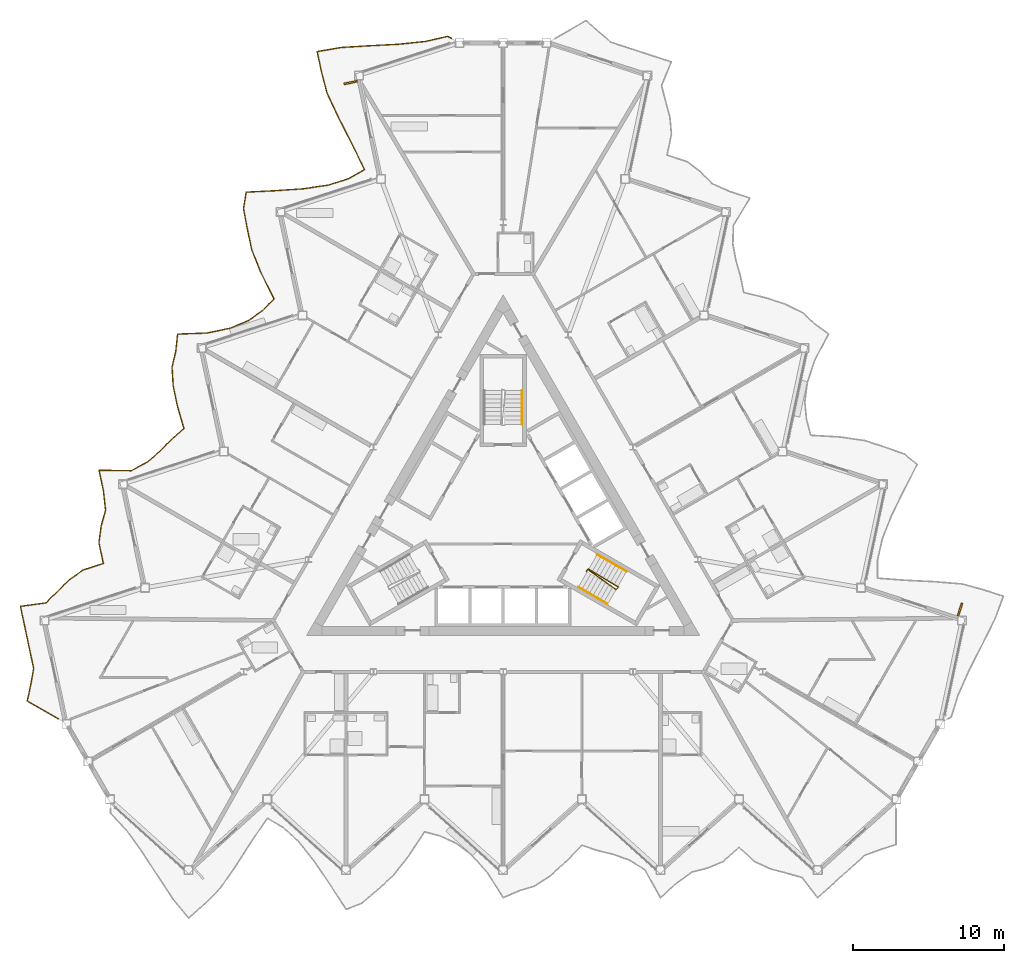
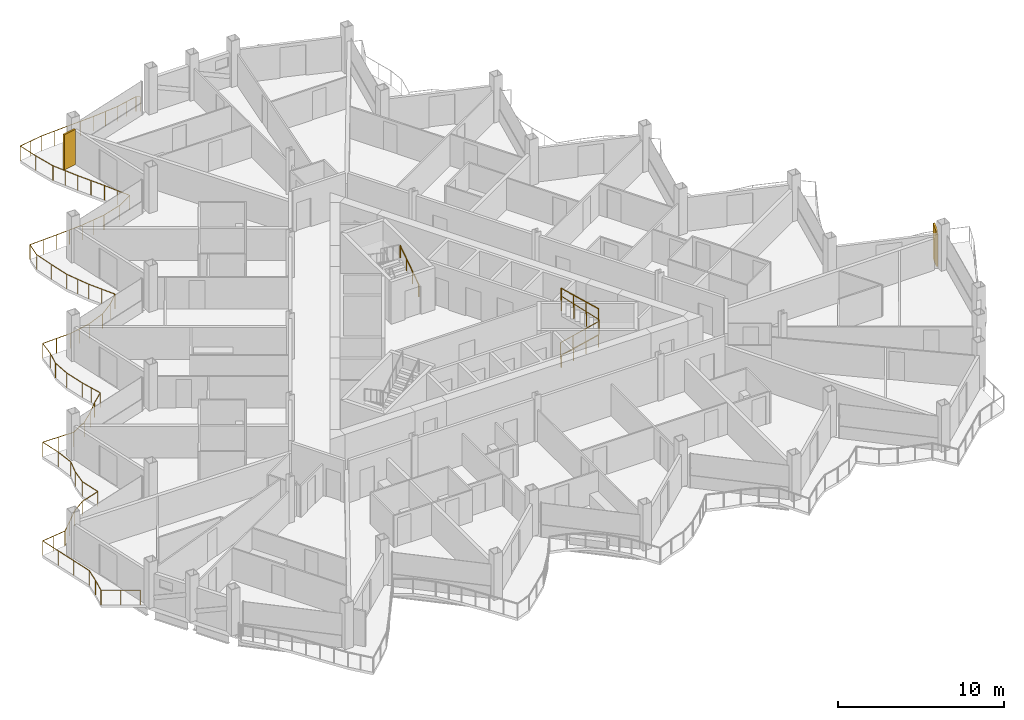
# One storey, part 24 of 27: 5 railings, 2 shading devices.
"""IFC4 building model written with IfcOpenShell, lengths in metres."""

import ifcopenshell
import ifcopenshell.guid

model = None  # the IFC model being written
_history = None  # IfcOwnerHistory: only IFC2X3 demands one
_inside = {}  # id of a spatial element -> (the spatial element, [elements in it])
_under = {}  # id of a project, library or spatial element -> (it, [spatial elements below it])
_declared = {}  # id of a project -> (the project, [libraries it declares])
_typed = {}  # id of a type object -> (the type object, [elements of that type])
_made_of = {}  # id of a material, layer set ... -> (it, [elements and type objects made of it])


def new_model(schema):
    """Start an empty IFC model of exactly this schema.

    Asked for "IFC4X3", IfcOpenShell would pick the latest addendum, in which some entities
    have other attributes; the version numbers below select the first issue.
    IFC2X3 requires an IfcOwnerHistory on every rooted entity: one is made here for all.
    """
    global model, _history
    if schema == "IFC4X3":
        model = ifcopenshell.file(schema_version=(4, 3, 0, 0))
    else:
        model = ifcopenshell.file(schema=schema)
    _inside.clear()
    _under.clear()
    _declared.clear()
    _typed.clear()
    _made_of.clear()
    _history = None
    if model.schema == "IFC2X3":
        org = make("IfcOrganization", Name="unknown")
        user = make(
            "IfcPersonAndOrganization",
            ThePerson=make("IfcPerson", FamilyName="unknown"),
            TheOrganization=org,
        )
        app = make(
            "IfcApplication",
            ApplicationDeveloper=org,
            Version="unknown",
            ApplicationFullName="unknown",
            ApplicationIdentifier="unknown",
        )
        _history = make(
            "IfcOwnerHistory",
            OwningUser=user,
            OwningApplication=app,
            ChangeAction="ADDED",
            CreationDate=0,
        )
    return model


def make(cls, **values):
    """One entity of the class cls with the attributes given. An attribute that is None is left unset."""
    return model.create_entity(
        cls, **{name: value for name, value in values.items() if value is not None}
    )


def rooted(cls, **values):
    """An entity with a GlobalId (a new one), such as an element, a storey or a relation."""
    return make(cls, GlobalId=ifcopenshell.guid.new(), OwnerHistory=_history, **values)


def si_unit(unit_type, name, prefix=None):
    """IfcSIUnit, for example si_unit("LENGTHUNIT", "METRE", prefix="MILLI")."""
    return make("IfcSIUnit", UnitType=unit_type, Prefix=prefix, Name=name)


def assignment(units):
    """IfcUnitAssignment: the units of a project."""
    return None if units is None else make("IfcUnitAssignment", Units=units)


def point(xyz):
    """IfcCartesianPoint."""
    return None if xyz is None else make("IfcCartesianPoint", Coordinates=xyz)


def direction(xyz):
    """IfcDirection."""
    return None if xyz is None else make("IfcDirection", DirectionRatios=xyz)


def frame(location, z_axis=None, x_axis=None):
    """IfcAxis2Placement3D, a coordinate frame: its origin and axes. An axis left out is left unset."""
    return make(
        "IfcAxis2Placement3D",
        Location=point(location),
        Axis=direction(z_axis),
        RefDirection=direction(x_axis),
    )


def frame_2d(location, x_axis=None):
    """IfcAxis2Placement2D, a coordinate frame in the plane: its origin and x axis."""
    return make(
        "IfcAxis2Placement2D", Location=point(location), RefDirection=direction(x_axis)
    )


def origin():
    """The frame at (0, 0, 0) with its axes left unset."""
    return frame((0.0, 0.0, 0.0))


def origin_2d():
    """The frame at (0, 0) in the plane with its x axis left unset."""
    return frame_2d((0.0, 0.0))


def place(relative_to, where):
    """IfcLocalPlacement: puts the frame where relative to a parent placement (None: the world)."""
    return make(
        "IfcLocalPlacement", PlacementRelTo=relative_to, RelativePlacement=where
    )


def context(
    kind, dimensions, precision=None, world=None, true_north=None, identifier=None
):
    """IfcGeometricRepresentationContext, for example the 3D "Model" context."""
    return make(
        "IfcGeometricRepresentationContext",
        ContextIdentifier=identifier,
        ContextType=kind,
        CoordinateSpaceDimension=dimensions,
        Precision=precision,
        WorldCoordinateSystem=world,
        TrueNorth=true_north,
    )


def subcontext(parent, identifier, kind, view, scale=None):
    """IfcGeometricRepresentationSubContext, for example "Body" below "Model"."""
    return make(
        "IfcGeometricRepresentationSubContext",
        ContextIdentifier=identifier,
        ContextType=kind,
        ParentContext=parent,
        TargetScale=scale,
        TargetView=view,
    )


def project(units=None, contexts=None):
    """IfcProject with its units and contexts."""
    return rooted(
        "IfcProject",
        Name="project",
        RepresentationContexts=contexts,
        UnitsInContext=assignment(units),
    )


def spatial(cls, under=None, at=None, **own):
    """A site, building, storey or space (cls), placed at a placement, below another one or the project."""
    s = rooted(cls, ObjectPlacement=at, **own)
    if under is not None:
        _under.setdefault(under.id(), (under, []))[1].append(s)
    return s


def profile(cls, at=None, kind="AREA", **sizes):
    """A parametric profile (cls). Its sizes go by their IFC names, for example OverallWidth=200.0."""
    return make(cls, ProfileType=kind, Position=at, **sizes)


def rectangle(**sizes):
    """IfcRectangleProfileDef."""
    return profile("IfcRectangleProfileDef", **sizes)


def circle(**sizes):
    """IfcCircleProfileDef."""
    return profile("IfcCircleProfileDef", **sizes)


def extrude(swept, where, along, depth):
    """IfcExtrudedAreaSolid: the profile swept, set in the frame where, extruded along a direction by depth."""
    return make(
        "IfcExtrudedAreaSolid",
        SweptArea=swept,
        Position=where,
        ExtrudedDirection=direction(along),
        Depth=depth,
    )


def shape(context_of_items, identifier, shape_type, items):
    """IfcShapeRepresentation: the items that make up one representation, for example the "Body"."""
    return make(
        "IfcShapeRepresentation",
        ContextOfItems=context_of_items,
        RepresentationIdentifier=identifier,
        RepresentationType=shape_type,
        Items=items,
    )


def material(Name=None, Category=None):
    """IfcMaterial."""
    return make("IfcMaterial", Name=Name, Category=Category)


def layer(
    of_material, thickness, ventilated=None, Name=None, Category=None, Priority=None
):
    """IfcMaterialLayer: one layer of a wall or slab, of a material (None: an air gap)."""
    return make(
        "IfcMaterialLayer",
        Material=of_material,
        LayerThickness=thickness,
        IsVentilated=ventilated,
        Name=Name,
        Category=Category,
        Priority=Priority,
    )


def layer_set(layers, Name=None):
    """IfcMaterialLayerSet."""
    return make("IfcMaterialLayerSet", MaterialLayers=layers, LayerSetName=Name)


def made_of(thing, what):
    """Note that an element or type object is made of a material, layer set ...; save() writes the relation."""
    if what is not None:
        _made_of.setdefault(what.id(), (what, []))[1].append(thing)
    return thing


def type_object(cls, material=None, **own):
    """A type object (cls), such as IfcWallType, which elements share."""
    return made_of(rooted(cls, **own), material)


def element(
    cls,
    number,
    at=None,
    inside=None,
    cuts=None,
    type_object=None,
    material=None,
    context=None,
    identifier="Body",
    shape_type=None,
    held_by="IfcProductDefinitionShape",
    body=None,
    shapes=None,
    **own,
):
    """One element of the class cls, such as IfcWall. Its Tag is "e" and its number.

    at: its placement. inside: the storey or other place that contains it. cuts: it is an
    opening in that element (IfcRelVoidsElement). A single representation is given by context,
    identifier, shape_type and body (its items); several are given by shapes. held_by: the class
    of the entity that holds the representations. save() writes the other relations.
    """
    e = rooted(cls, Tag="e%d" % number, ObjectPlacement=at, **own)
    if body is not None:
        shapes = [shape(context, identifier, shape_type, body)]
    if shapes is not None:
        e.Representation = make(held_by, Representations=shapes)
    if inside is not None:
        _inside.setdefault(inside.id(), (inside, []))[1].append(e)
    if cuts is not None:
        rooted(
            "IfcRelVoidsElement", RelatingBuildingElement=cuts, RelatedOpeningElement=e
        )
    if type_object is not None:
        _typed.setdefault(type_object.id(), (type_object, []))[1].append(e)
    return made_of(e, material)


def aggregate(whole, parts):
    """IfcRelAggregates: a whole, such as a stair, and the parts it consists of."""
    return rooted("IfcRelAggregates", RelatingObject=whole, RelatedObjects=parts)


def save(model, path):
    """Write the relations noted so far, then the file.

    IfcRelAggregates (storeys below a building ...), IfcRelContainedInSpatialStructure (elements
    in a storey), IfcRelDefinesByType, IfcRelAssociatesMaterial and IfcRelDeclares: one each for
    every whole, place, type object, material and project.
    """
    for whole, parts in _under.values():
        aggregate(whole, parts)
    for where, things in _inside.values():
        rooted(
            "IfcRelContainedInSpatialStructure",
            RelatedElements=things,
            RelatingStructure=where,
        )
    for kind, things in _typed.values():
        rooted("IfcRelDefinesByType", RelatedObjects=things, RelatingType=kind)
    for what, things in _made_of.values():
        rooted("IfcRelAssociatesMaterial", RelatedObjects=things, RelatingMaterial=what)
    for by, libraries in _declared.values():
        rooted("IfcRelDeclares", RelatingContext=by, RelatedDefinitions=libraries)
    model.write(path)


model = new_model("IFC4")

# Units and contexts
model_context = context("Model", 3, precision=1e-05, world=origin(), true_north=direction((0.0, 1.0)))
body_context = subcontext(model_context, "Body", "Model", "MODEL_VIEW")
ifc_project = project(units=[si_unit("LENGTHUNIT", "METRE"), si_unit("AREAUNIT", "SQUARE_METRE"), si_unit("VOLUMEUNIT", "CUBIC_METRE"), si_unit("PLANEANGLEUNIT", "RADIAN"), si_unit("MASSUNIT", "GRAM", prefix="KILO")], contexts=[model_context])

# Site, building, storey
site_placement = place(None, origin())
site = spatial("IfcSite", under=ifc_project, at=site_placement, CompositionType="ELEMENT")
building_placement = place(site_placement, origin())
building = spatial("IfcBuilding", under=site, at=building_placement, Name="Cormorant Prow Tower", CompositionType="ELEMENT")
storey_placement = place(building_placement, frame((0.0, 0.0, 332.39990234375)))
storey = spatial("IfcBuildingStorey", under=building, at=storey_placement, Name="L74", CompositionType="ELEMENT", Elevation=332.39990234375)

# Railings
ifc_material_1 = material(Name="Aluminium 6063-T6", Category="aluminium")
railing_type_1 = type_object("IfcRailingType", Name="Balcony guard 1100", PredefinedType="GUARDRAIL", material=ifc_material_1)
railing_1_placement = place(storey_placement, frame((-3.42724609375, 31.9794921875, 0.0)))
element("IfcRailing", 1, at=railing_1_placement, inside=storey, type_object=railing_type_1, Name="Balcony guard WNW", PredefinedType="GUARDRAIL", context=body_context, shape_type="SweptSolid", body=[
    extrude(circle(Radius=0.02392578125, at=origin_2d()), frame((0.0, 0.0, 1.076171875), z_axis=(-0.866065156741, 0.499931139538, 0.0), x_axis=(-0.499931139538, -0.866065156741, 0.0)), (0.0, 0.0, 1.0), 0.27001953125),
    extrude(circle(Radius=0.02392578125, at=origin_2d()), frame((-0.23388671875, 0.135009765625, 1.076171875), z_axis=(-0.974868424271, -0.22278140712, 0.0), x_axis=(0.22278140712, -0.974868424271, 0.0)), (0.0, 0.0, 1.0), 1.527587890625),
    extrude(circle(Radius=0.02392578125, at=origin_2d()), frame((-1.72314453125, -0.205322265625, 1.076171875), z_axis=(-0.994620481506, -0.103586185219, 0.0), x_axis=(0.103586185219, -0.994620481506, 0.0)), (0.0, 0.0, 1.0), 1.77001953125),
    extrude(circle(Radius=0.02392578125, at=origin_2d()), frame((-3.483642578125, -0.388671875, 1.076171875), z_axis=(-0.998630170708, -0.052323820115, 0.0), x_axis=(0.052323820115, -0.998630170708, 0.0)), (0.0, 0.0, 1.0), 1.908447265625),
    extrude(circle(Radius=0.02392578125, at=origin_2d()), frame((-5.389404296875, -0.488525390625, 1.076171875), z_axis=(-0.998168259573, -0.060498971735, 0.0), x_axis=(0.060498971735, -0.998168259573, 0.0)), (0.0, 0.0, 1.0), 1.884521484375),
    extrude(circle(Radius=0.02392578125, at=origin_2d()), frame((-7.2705078125, -0.6025390625, 1.076171875), z_axis=(-0.985824863509, -0.167777645972, 0.0), x_axis=(0.167777645972, -0.985824863509, 0.0)), (0.0, 0.0, 1.0), 1.62841796875),
    extrude(circle(Radius=0.02392578125, at=origin_2d()), frame((-8.875732421875, -0.875732421875, 1.076171875), z_axis=(0.207919304822, -0.978145982296, 0.0), x_axis=(0.978145982296, 0.207919304822, 0.0)), (0.0, 0.0, 1.0), 1.3984375),
    extrude(circle(Radius=0.02392578125, at=origin_2d()), frame((-8.5849609375, -2.24365234375, 1.076171875), z_axis=(0.255379362518, -0.966840928592, 0.0), x_axis=(0.966840928592, 0.255379362518, 0.0)), (0.0, 0.0, 1.0), 1.464599609375),
    extrude(circle(Radius=0.02392578125, at=origin_2d()), frame((-8.2109375, -3.65966796875, 1.076171875), z_axis=(0.426416101048, -0.904527118868, 0.0), x_axis=(0.904527118868, 0.426416101048, 0.0)), (0.0, 0.0, 1.0), 1.822998046875),
    extrude(circle(Radius=0.02392578125, at=origin_2d()), frame((-7.43359375, -5.30859375, 1.076171875), z_axis=(0.457212869892, -0.889357291309, 0.0), x_axis=(0.889357291309, 0.457212869892, 0.0)), (0.0, 0.0, 1.0), 1.91845703125),
    extrude(circle(Radius=0.02392578125, at=origin_2d()), frame((-6.556396484375, -7.014892578125, 1.076171875), z_axis=(0.435129408634, -0.900367923541, 0.0), x_axis=(0.900367923541, 0.435129408634, 0.0)), (0.0, 0.0, 1.0), 1.8486328125),
    extrude(circle(Radius=0.02392578125, at=origin_2d()), frame((-5.751953125, -8.679443359375, 1.076171875), z_axis=(-0.866195743587, -0.499704846676, 0.0), x_axis=(0.499704846676, -0.866195743587, 0.0)), (0.0, 0.0, 1.0), 1.200439453125),
    extrude(circle(Radius=0.02392578125, at=origin_2d()), frame((-6.791748046875, -9.279296875, 1.076171875), z_axis=(-0.954556801538, -0.298029046634, 0.0), x_axis=(0.298029046634, -0.954556801538, 0.0)), (0.0, 0.0, 1.0), 1.4130859375),
    extrude(circle(Radius=0.02392578125, at=origin_2d()), frame((-8.140625, -9.700439453125, 1.076171875), z_axis=(-0.989114626133, -0.147147056953, 0.0), x_axis=(0.147147056953, -0.989114626133, 0.0)), (0.0, 0.0, 1.0), 1.670654296875),
    extrude(circle(Radius=0.02392578125, at=origin_2d()), frame((-9.793212890625, -9.9462890625, 1.076171875), z_axis=(-0.997734486787, -0.067274764031, 0.0), x_axis=(0.067274764031, -0.997734486787, 0.0)), (0.0, 0.0, 1.0), 1.865234375),
    extrude(circle(Radius=0.02392578125, at=origin_2d()), frame((-11.654296875, -10.07177734375, 1.076171875), z_axis=(-0.998764384953, -0.049696109994, 0.0), x_axis=(0.049696109994, -0.998764384953, 0.0)), (0.0, 0.0, 1.0), 1.916015625),
    extrude(circle(Radius=0.02392578125, at=origin_2d()), frame((-13.56787109375, -10.1669921875, 1.076171875), z_axis=(-0.155895016823, -0.987773629801, 0.0), x_axis=(0.987773629801, -0.155895016823, 0.0)), (0.0, 0.0, 1.0), 1.113525390625),
    extrude(circle(Radius=0.02392578125, at=origin_2d()), frame((-13.741455078125, -11.266845703125, 1.076171875), z_axis=(0.183437336105, -0.983031405258, 0.0), x_axis=(0.983031405258, 0.183437336105, 0.0)), (0.0, 0.0, 1.0), 1.3681640625),
    extrude(circle(Radius=0.02392578125, at=origin_2d()), frame((-13.490478515625, -12.61181640625, 1.076171875), z_axis=(0.207919304822, -0.978145982296, 0.0), x_axis=(0.978145982296, 0.207919304822, 0.0)), (0.0, 0.0, 1.0), 1.3984375),
    extrude(circle(Radius=0.02392578125, at=origin_2d()), frame((-13.19970703125, -13.979736328125, 1.076171875), z_axis=(0.371265406287, -0.92852678911, 0.0), x_axis=(0.92852678911, 0.371265406287, 0.0)), (0.0, 0.0, 1.0), 1.68017578125),
    extrude(circle(Radius=0.02392578125, at=origin_2d()), frame((-12.575927734375, -15.539794921875, 1.076171875), z_axis=(0.450249587952, -0.892902743051, 0.0), x_axis=(0.892902743051, 0.450249587952, 0.0)), (0.0, 0.0, 1.0), 1.896240234375),
    extrude(circle(Radius=0.02392578125, at=origin_2d()), frame((-11.72216796875, -17.23291015625, 1.076171875), z_axis=(-0.708692470363, -0.705517528096, 0.0), x_axis=(0.705517528096, -0.708692470363, 0.0)), (0.0, 0.0, 1.0), 1.07666015625),
    extrude(circle(Radius=0.02392578125, at=origin_2d()), frame((-12.485107421875, -17.992431640625, 1.076171875), z_axis=(-0.812139024298, -0.583463970792, 0.0), x_axis=(0.583463970792, -0.812139024298, 0.0)), (0.0, 0.0, 1.0), 1.14013671875),
    extrude(circle(Radius=0.02392578125, at=origin_2d()), frame((-13.4111328125, -18.65771484375, 1.076171875), z_axis=(-0.923132133138, -0.384482853673, 0.0), x_axis=(0.384482853673, -0.923132133138, 0.0)), (0.0, 0.0, 1.0), 1.30810546875),
    extrude(circle(Radius=0.02392578125, at=origin_2d()), frame((-14.61865234375, -19.16064453125, 1.076171875), z_axis=(-0.978781858158, -0.204905036887, 0.0), x_axis=(0.204905036887, -0.978781858158, 0.0)), (0.0, 0.0, 1.0), 1.558349609375),
    extrude(circle(Radius=0.02392578125, at=origin_2d()), frame((-16.14404296875, -19.47998046875, 1.076171875), z_axis=(-0.999335867449, -0.036439319842, 0.0), x_axis=(0.036439319842, -0.999335867449, 0.0)), (0.0, 0.0, 1.0), 1.956298828125),
    extrude(circle(Radius=0.02392578125, at=origin_2d()), frame((-18.09912109375, -19.55126953125, 1.076171875), z_axis=(-0.1069882502, -0.994260284995, 0.0), x_axis=(0.994260284995, -0.1069882502, 0.0)), (0.0, 0.0, 1.0), 1.136474609375),
    extrude(circle(Radius=0.02392578125, at=origin_2d()), frame((-18.220703125, -20.68115234375, 1.076171875), z_axis=(-0.226796152694, -0.973942249378, 0.0), x_axis=(0.973942249378, -0.226796152694, 0.0)), (0.0, 0.0, 1.0), 1.086181640625),
    extrude(circle(Radius=0.02392578125, at=origin_2d()), frame((-18.467041015625, -21.739013671875, 1.076171875), z_axis=(0.057156067172, -0.998365255798, 0.0), x_axis=(0.998365255798, 0.057156067172, 0.0)), (0.0, 0.0, 1.0), 1.242919921875),
    extrude(circle(Radius=0.02392578125, at=origin_2d()), frame((-18.39599609375, -22.97998046875, 1.076171875), z_axis=(0.207919304822, -0.978145982296, 0.0), x_axis=(0.978145982296, 0.207919304822, 0.0)), (0.0, 0.0, 1.0), 1.3984375),
    extrude(circle(Radius=0.02392578125, at=origin_2d()), frame((-18.105224609375, -24.347900390625, 1.076171875), z_axis=(0.279887718113, -0.960032741759, 0.0), x_axis=(0.960032741759, 0.279887718113, 0.0)), (0.0, 0.0, 1.0), 1.5029296875),
    extrude(circle(Radius=0.02392578125, at=origin_2d()), frame((-17.6845703125, -25.790771484375, 1.076171875), z_axis=(-0.750435231758, -0.660943993797, 0.0), x_axis=(0.660943993797, -0.750435231758, 0.0)), (0.0, 0.0, 1.0), 1.0966796875),
    extrude(circle(Radius=0.02392578125, at=origin_2d()), frame((-18.507568359375, -26.515625, 1.076171875), z_axis=(-0.693992104373, -0.719982610253, 0.0), x_axis=(0.719982610253, -0.693992104373, 0.0)), (0.0, 0.0, 1.0), 1.07080078125),
    extrude(circle(Radius=0.02392578125, at=origin_2d()), frame((-19.250732421875, -27.28662109375, 1.076171875), z_axis=(-0.758614643675, -0.651539578539, 0.0), x_axis=(0.651539578539, -0.758614643675, 0.0)), (0.0, 0.0, 1.0), 1.101318359375),
    extrude(circle(Radius=0.02392578125, at=origin_2d()), frame((-20.086181640625, -28.004150390625, 1.076171875), z_axis=(-0.879686155667, -0.475554694569, 0.0), x_axis=(0.475554694569, -0.879686155667, 0.0)), (0.0, 0.0, 1.0), 1.22021484375),
    extrude(circle(Radius=0.02392578125, at=origin_2d()), frame((-21.15966796875, -28.58447265625, 1.076171875), z_axis=(-0.999880946428, 0.015430261519, 0.0), x_axis=(-0.015430261519, -0.999880946428, 0.0)), (0.0, 0.0, 1.0), 2.135986328125),
    extrude(circle(Radius=0.02392578125, at=origin_2d()), frame((-23.29541015625, -28.551513671875, 1.076171875), z_axis=(0.207954815096, -0.978138433392, 0.0), x_axis=(0.978138433392, 0.207954815096, 0.0)), (0.0, 0.0, 1.0), 1.398193359375),
    extrude(circle(Radius=0.02392578125, at=origin_2d()), frame((-23.004638671875, -29.919189453125, 1.076171875), z_axis=(0.108747067924, -0.994069451909, 0.0), x_axis=(0.994069451909, 0.108747067924, 0.0)), (0.0, 0.0, 1.0), 1.28857421875),
    extrude(circle(Radius=0.02392578125, at=origin_2d()), frame((-22.864501953125, -31.2001953125, 1.076171875), z_axis=(-0.267925383794, -0.963439665324, 0.0), x_axis=(0.963439665324, -0.267925383794, 0.0)), (0.0, 0.0, 1.0), 1.073486328125),
    extrude(circle(Radius=0.02392578125, at=origin_2d()), frame((-23.152099609375, -32.234375, 1.076171875), z_axis=(-0.132989234618, -0.991117482176, 0.0), x_axis=(0.991117482176, -0.132989234618, 0.0)), (0.0, 0.0, 1.0), 1.12353515625),
    extrude(circle(Radius=0.02392578125, at=origin_2d()), frame((-23.301513671875, -33.347900390625, 1.076171875), z_axis=(0.207919304822, -0.978145982296, 0.0), x_axis=(0.978145982296, 0.207919304822, 0.0)), (0.0, 0.0, 1.0), 1.3984375),
    extrude(circle(Radius=0.02392578125, at=origin_2d()), frame((-23.0107421875, -34.7158203125, 1.076171875), z_axis=(-0.951013541542, -0.309149225784, 0.0), x_axis=(0.309149225784, -0.951013541542, 0.0)), (0.0, 0.0, 1.0), 1.398681640625),
    extrude(circle(Radius=0.02392578125, at=origin_2d()), frame((-24.3408203125, -35.148193359375, 1.076171875), z_axis=(-0.817746960068, -0.575577891601, 0.0), x_axis=(0.575577891601, -0.817746960068, 0.0)), (0.0, 0.0, 1.0), 1.145263671875),
    extrude(circle(Radius=0.02392578125, at=origin_2d()), frame((-25.27734375, -35.807373046875, 1.076171875), z_axis=(-0.704603771786, -0.709600961657, 0.0), x_axis=(0.709600961657, -0.704603771786, 0.0)), (0.0, 0.0, 1.0), 1.07470703125),
    extrude(circle(Radius=0.02392578125, at=origin_2d()), frame((-26.03466796875, -36.570068359375, 1.076171875), z_axis=(-0.716759517386, -0.697320438706, 0.0), x_axis=(0.697320438706, -0.716759517386, 0.0)), (0.0, 0.0, 1.0), 1.080078125),
    extrude(circle(Radius=0.02392578125, at=origin_2d()), frame((-26.808837890625, -37.3232421875, 1.076171875), z_axis=(-0.990906116671, -0.134555074018, 0.0), x_axis=(0.134555074018, -0.990906116671, 0.0)), (0.0, 0.0, 1.0), 1.6982421875),
    extrude(circle(Radius=0.02392578125, at=origin_2d()), frame((-28.49169921875, -37.5517578125, 1.076171875), z_axis=(0.207954815096, -0.978138433392, 0.0), x_axis=(0.978138433392, 0.207954815096, 0.0)), (0.0, 0.0, 1.0), 1.398193359375),
    extrude(circle(Radius=0.02392578125, at=origin_2d()), frame((-28.200927734375, -38.91943359375, 1.076171875), z_axis=(0.207919304822, -0.978145982296, 0.0), x_axis=(0.978145982296, 0.207919304822, 0.0)), (0.0, 0.0, 1.0), 1.3984375),
    extrude(circle(Radius=0.02392578125, at=origin_2d()), frame((-27.91015625, -40.287353515625, 1.076171875), z_axis=(0.207919304822, -0.978145982296, 0.0), x_axis=(0.978145982296, 0.207919304822, 0.0)), (0.0, 0.0, 1.0), 1.3984375),
    extrude(circle(Radius=0.02392578125, at=origin_2d()), frame((-27.619384765625, -41.6552734375, 1.076171875), z_axis=(-0.172048589845, -0.98508846442, 0.0), x_axis=(0.98508846442, -0.172048589845, 0.0)), (0.0, 0.0, 1.0), 1.10693359375),
    extrude(circle(Radius=0.02392578125, at=origin_2d()), frame((-27.809814453125, -42.74560546875, 1.076171875), z_axis=(-0.210460713623, -0.977602315884, 0.0), x_axis=(0.977602315884, -0.210460713623, 0.0)), (0.0, 0.0, 1.0), 1.091552734375),
    extrude(circle(Radius=0.02392578125, at=origin_2d()), frame((-28.03955078125, -43.812744140625, 1.076171875), z_axis=(0.866028196007, -0.499995163697, 0.0), x_axis=(0.499995163697, 0.866028196007, 0.0)), (0.0, 0.0, 1.0), 2.37646484375),
    extrude(circle(Radius=0.02099609375, at=origin_2d()), origin(), (0.0, 0.0, 1.0), 1.052001953125),
    extrude(circle(Radius=0.02099609375, at=origin_2d()), frame((-0.23388671875, 0.135009765625, 0.0)), (0.0, 0.0, 1.0), 1.052001953125),
    extrude(circle(Radius=0.02099609375, at=origin_2d()), frame((-0.978515625, -0.03515625, 0.0)), (0.0, 0.0, 1.0), 1.052001953125),
    extrude(circle(Radius=0.02099609375, at=origin_2d()), frame((-1.72314453125, -0.205322265625, 0.0)), (0.0, 0.0, 1.0), 1.052001953125),
    extrude(circle(Radius=0.02099609375, at=origin_2d()), frame((-2.603515625, -0.296875, 0.0)), (0.0, 0.0, 1.0), 1.052001953125),
    extrude(circle(Radius=0.02099609375, at=origin_2d()), frame((-3.483642578125, -0.388671875, 0.0)), (0.0, 0.0, 1.0), 1.052001953125),
    extrude(circle(Radius=0.02099609375, at=origin_2d()), frame((-4.4365234375, -0.4384765625, 0.0)), (0.0, 0.0, 1.0), 1.052001953125),
    extrude(circle(Radius=0.02099609375, at=origin_2d()), frame((-5.389404296875, -0.488525390625, 0.0)), (0.0, 0.0, 1.0), 1.052001953125),
    extrude(circle(Radius=0.02099609375, at=origin_2d()), frame((-6.330078125, -0.54541015625, 0.0)), (0.0, 0.0, 1.0), 1.052001953125),
    extrude(circle(Radius=0.02099609375, at=origin_2d()), frame((-7.2705078125, -0.6025390625, 0.0)), (0.0, 0.0, 1.0), 1.052001953125),
    extrude(circle(Radius=0.02099609375, at=origin_2d()), frame((-8.0732421875, -0.7392578125, 0.0)), (0.0, 0.0, 1.0), 1.052001953125),
    extrude(circle(Radius=0.02099609375, at=origin_2d()), frame((-8.875732421875, -0.875732421875, 0.0)), (0.0, 0.0, 1.0), 1.052001953125),
    extrude(circle(Radius=0.02099609375, at=origin_2d()), frame((-8.5849609375, -2.24365234375, 0.0)), (0.0, 0.0, 1.0), 1.052001953125),
    extrude(circle(Radius=0.02099609375, at=origin_2d()), frame((-8.2109375, -3.65966796875, 0.0)), (0.0, 0.0, 1.0), 1.052001953125),
    extrude(circle(Radius=0.02099609375, at=origin_2d()), frame((-7.822265625, -4.484130859375, 0.0)), (0.0, 0.0, 1.0), 1.052001953125),
    extrude(circle(Radius=0.02099609375, at=origin_2d()), frame((-7.43359375, -5.30859375, 0.0)), (0.0, 0.0, 1.0), 1.052001953125),
    extrude(circle(Radius=0.02099609375, at=origin_2d()), frame((-6.9951171875, -6.16162109375, 0.0)), (0.0, 0.0, 1.0), 1.052001953125),
    extrude(circle(Radius=0.02099609375, at=origin_2d()), frame((-6.556396484375, -7.014892578125, 0.0)), (0.0, 0.0, 1.0), 1.052001953125),
    extrude(circle(Radius=0.02099609375, at=origin_2d()), frame((-6.154296875, -7.84716796875, 0.0)), (0.0, 0.0, 1.0), 1.052001953125),
    extrude(circle(Radius=0.02099609375, at=origin_2d()), frame((-5.751953125, -8.679443359375, 0.0)), (0.0, 0.0, 1.0), 1.052001953125),
    extrude(circle(Radius=0.02099609375, at=origin_2d()), frame((-6.791748046875, -9.279296875, 0.0)), (0.0, 0.0, 1.0), 1.052001953125),
    extrude(circle(Radius=0.02099609375, at=origin_2d()), frame((-8.140625, -9.700439453125, 0.0)), (0.0, 0.0, 1.0), 1.052001953125),
    extrude(circle(Radius=0.02099609375, at=origin_2d()), frame((-8.966796875, -9.8232421875, 0.0)), (0.0, 0.0, 1.0), 1.052001953125),
    extrude(circle(Radius=0.02099609375, at=origin_2d()), frame((-9.793212890625, -9.9462890625, 0.0)), (0.0, 0.0, 1.0), 1.052001953125),
    extrude(circle(Radius=0.02099609375, at=origin_2d()), frame((-10.7236328125, -10.009033203125, 0.0)), (0.0, 0.0, 1.0), 1.052001953125),
    extrude(circle(Radius=0.02099609375, at=origin_2d()), frame((-11.654296875, -10.07177734375, 0.0)), (0.0, 0.0, 1.0), 1.052001953125),
    extrude(circle(Radius=0.02099609375, at=origin_2d()), frame((-12.611083984375, -10.119384765625, 0.0)), (0.0, 0.0, 1.0), 1.052001953125),
    extrude(circle(Radius=0.02099609375, at=origin_2d()), frame((-13.56787109375, -10.1669921875, 0.0)), (0.0, 0.0, 1.0), 1.052001953125),
    extrude(circle(Radius=0.02099609375, at=origin_2d()), frame((-13.741455078125, -11.266845703125, 0.0)), (0.0, 0.0, 1.0), 1.052001953125),
    extrude(circle(Radius=0.02099609375, at=origin_2d()), frame((-13.490478515625, -12.61181640625, 0.0)), (0.0, 0.0, 1.0), 1.052001953125),
    extrude(circle(Radius=0.02099609375, at=origin_2d()), frame((-13.19970703125, -13.979736328125, 0.0)), (0.0, 0.0, 1.0), 1.052001953125),
    extrude(circle(Radius=0.02099609375, at=origin_2d()), frame((-12.8876953125, -14.759765625, 0.0)), (0.0, 0.0, 1.0), 1.052001953125),
    extrude(circle(Radius=0.02099609375, at=origin_2d()), frame((-12.575927734375, -15.539794921875, 0.0)), (0.0, 0.0, 1.0), 1.052001953125),
    extrude(circle(Radius=0.02099609375, at=origin_2d()), frame((-12.14892578125, -16.38623046875, 0.0)), (0.0, 0.0, 1.0), 1.052001953125),
    extrude(circle(Radius=0.02099609375, at=origin_2d()), frame((-11.72216796875, -17.23291015625, 0.0)), (0.0, 0.0, 1.0), 1.052001953125),
    extrude(circle(Radius=0.02099609375, at=origin_2d()), frame((-12.485107421875, -17.992431640625, 0.0)), (0.0, 0.0, 1.0), 1.052001953125),
    extrude(circle(Radius=0.02099609375, at=origin_2d()), frame((-13.4111328125, -18.65771484375, 0.0)), (0.0, 0.0, 1.0), 1.052001953125),
    extrude(circle(Radius=0.02099609375, at=origin_2d()), frame((-14.61865234375, -19.16064453125, 0.0)), (0.0, 0.0, 1.0), 1.052001953125),
    extrude(circle(Radius=0.02099609375, at=origin_2d()), frame((-15.38134765625, -19.3203125, 0.0)), (0.0, 0.0, 1.0), 1.052001953125),
    extrude(circle(Radius=0.02099609375, at=origin_2d()), frame((-16.14404296875, -19.47998046875, 0.0)), (0.0, 0.0, 1.0), 1.052001953125),
    extrude(circle(Radius=0.02099609375, at=origin_2d()), frame((-17.12158203125, -19.515625, 0.0)), (0.0, 0.0, 1.0), 1.052001953125),
    extrude(circle(Radius=0.02099609375, at=origin_2d()), frame((-18.09912109375, -19.55126953125, 0.0)), (0.0, 0.0, 1.0), 1.052001953125),
    extrude(circle(Radius=0.02099609375, at=origin_2d()), frame((-18.220703125, -20.68115234375, 0.0)), (0.0, 0.0, 1.0), 1.052001953125),
    extrude(circle(Radius=0.02099609375, at=origin_2d()), frame((-18.467041015625, -21.739013671875, 0.0)), (0.0, 0.0, 1.0), 1.052001953125),
    extrude(circle(Radius=0.02099609375, at=origin_2d()), frame((-18.39599609375, -22.97998046875, 0.0)), (0.0, 0.0, 1.0), 1.052001953125),
    extrude(circle(Radius=0.02099609375, at=origin_2d()), frame((-18.105224609375, -24.347900390625, 0.0)), (0.0, 0.0, 1.0), 1.052001953125),
    extrude(circle(Radius=0.02099609375, at=origin_2d()), frame((-17.89501953125, -25.0693359375, 0.0)), (0.0, 0.0, 1.0), 1.052001953125),
    extrude(circle(Radius=0.02099609375, at=origin_2d()), frame((-17.6845703125, -25.790771484375, 0.0)), (0.0, 0.0, 1.0), 1.052001953125),
    extrude(circle(Radius=0.02099609375, at=origin_2d()), frame((-18.507568359375, -26.515625, 0.0)), (0.0, 0.0, 1.0), 1.052001953125),
    extrude(circle(Radius=0.02099609375, at=origin_2d()), frame((-19.250732421875, -27.28662109375, 0.0)), (0.0, 0.0, 1.0), 1.052001953125),
    extrude(circle(Radius=0.02099609375, at=origin_2d()), frame((-20.086181640625, -28.004150390625, 0.0)), (0.0, 0.0, 1.0), 1.052001953125),
    extrude(circle(Radius=0.02099609375, at=origin_2d()), frame((-21.15966796875, -28.58447265625, 0.0)), (0.0, 0.0, 1.0), 1.052001953125),
    extrude(circle(Radius=0.02099609375, at=origin_2d()), frame((-22.2275390625, -28.56787109375, 0.0)), (0.0, 0.0, 1.0), 1.052001953125),
    extrude(circle(Radius=0.02099609375, at=origin_2d()), frame((-23.29541015625, -28.551513671875, 0.0)), (0.0, 0.0, 1.0), 1.052001953125),
    extrude(circle(Radius=0.02099609375, at=origin_2d()), frame((-23.004638671875, -29.919189453125, 0.0)), (0.0, 0.0, 1.0), 1.052001953125),
    extrude(circle(Radius=0.02099609375, at=origin_2d()), frame((-22.864501953125, -31.2001953125, 0.0)), (0.0, 0.0, 1.0), 1.052001953125),
    extrude(circle(Radius=0.02099609375, at=origin_2d()), frame((-23.152099609375, -32.234375, 0.0)), (0.0, 0.0, 1.0), 1.052001953125),
    extrude(circle(Radius=0.02099609375, at=origin_2d()), frame((-23.301513671875, -33.347900390625, 0.0)), (0.0, 0.0, 1.0), 1.052001953125),
    extrude(circle(Radius=0.02099609375, at=origin_2d()), frame((-23.0107421875, -34.7158203125, 0.0)), (0.0, 0.0, 1.0), 1.052001953125),
    extrude(circle(Radius=0.02099609375, at=origin_2d()), frame((-24.3408203125, -35.148193359375, 0.0)), (0.0, 0.0, 1.0), 1.052001953125),
    extrude(circle(Radius=0.02099609375, at=origin_2d()), frame((-25.27734375, -35.807373046875, 0.0)), (0.0, 0.0, 1.0), 1.052001953125),
    extrude(circle(Radius=0.02099609375, at=origin_2d()), frame((-26.03466796875, -36.570068359375, 0.0)), (0.0, 0.0, 1.0), 1.052001953125),
    extrude(circle(Radius=0.02099609375, at=origin_2d()), frame((-26.808837890625, -37.3232421875, 0.0)), (0.0, 0.0, 1.0), 1.052001953125),
    extrude(circle(Radius=0.02099609375, at=origin_2d()), frame((-27.650390625, -37.4375, 0.0)), (0.0, 0.0, 1.0), 1.052001953125),
    extrude(circle(Radius=0.02099609375, at=origin_2d()), frame((-28.49169921875, -37.5517578125, 0.0)), (0.0, 0.0, 1.0), 1.052001953125),
    extrude(circle(Radius=0.02099609375, at=origin_2d()), frame((-28.200927734375, -38.91943359375, 0.0)), (0.0, 0.0, 1.0), 1.052001953125),
    extrude(circle(Radius=0.02099609375, at=origin_2d()), frame((-27.91015625, -40.287353515625, 0.0)), (0.0, 0.0, 1.0), 1.052001953125),
    extrude(circle(Radius=0.02099609375, at=origin_2d()), frame((-27.619384765625, -41.6552734375, 0.0)), (0.0, 0.0, 1.0), 1.052001953125),
    extrude(circle(Radius=0.02099609375, at=origin_2d()), frame((-27.809814453125, -42.74560546875, 0.0)), (0.0, 0.0, 1.0), 1.052001953125),
    extrude(circle(Radius=0.02099609375, at=origin_2d()), frame((-28.03955078125, -43.812744140625, 0.0)), (0.0, 0.0, 1.0), 1.052001953125),
    extrude(circle(Radius=0.02099609375, at=origin_2d()), frame((-27.010498046875, -44.40673828125, 0.0)), (0.0, 0.0, 1.0), 1.052001953125),
    extrude(circle(Radius=0.02099609375, at=origin_2d()), frame((-25.9814453125, -45.0009765625, 0.0)), (0.0, 0.0, 1.0), 1.052001953125),
])
ifc_material_2 = material(Name="Stainless steel", Category="steel")
railing_type_2 = type_object("IfcRailingType", Name="Stair guard 1100", PredefinedType="GUARDRAIL", material=ifc_material_2)
railing_2_placement = place(storey_placement, frame((5.510009765625, -3.267822265625, 0.0)))
element("IfcRailing", 2, at=railing_2_placement, inside=storey, type_object=railing_type_2, Name="L74 ST2 stair guard 1", PredefinedType="GUARDRAIL", context=body_context, shape_type="SweptSolid", body=[
    extrude(circle(Radius=0.02392578125, at=origin_2d()), frame((0.0, 0.0, 1.076171875), z_axis=(0.501036270542, 0.865426285481, 0.0), x_axis=(-0.865426285481, 0.501036270542, 0.0)), (0.0, 0.0, 1.0), 0.150146484375),
    extrude(circle(Radius=0.02392578125, at=origin_2d()), frame((0.0751953125, 0.1298828125, 1.076171875), z_axis=(0.658637147058, -0.461037463629, 0.594677698965), x_axis=(0.573455215813, 0.819236910458, 0.0)), (0.0, 0.0, 1.0), 2.859130859375),
    extrude(circle(Radius=0.02392578125, at=origin_2d()), frame((1.958251953125, -1.188232421875, 2.7763671875), z_axis=(0.695164929852, 0.718850276695, 0.0), x_axis=(-0.718850276695, 0.695164929852, 0.0)), (0.0, 0.0, 1.0), 0.2060546875),
    extrude(circle(Radius=0.02392578125, at=origin_2d()), frame((2.1015625, -1.0400390625, 2.7763671875), z_axis=(-0.686515364547, 0.416565300991, 0.595961411712), x_axis=(-0.518752825935, -0.854924268918, 0.0)), (0.0, 0.0, 1.0), 2.8525390625),
    extrude(circle(Radius=0.02099609375, at=origin_2d()), origin(), (0.0, 0.0, 1.0), 1.052001953125),
    extrude(circle(Radius=0.02099609375, at=origin_2d()), frame((0.0751953125, 0.1298828125, 0.0)), (0.0, 0.0, 1.0), 1.052001953125),
    extrude(circle(Radius=0.02099609375, at=origin_2d()), frame((0.702880859375, -0.3095703125, 0.566650390625)), (0.0, 0.0, 1.0), 1.052001953125),
    extrude(circle(Radius=0.02099609375, at=origin_2d()), frame((1.33056640625, -0.748779296875, 1.133544921875)), (0.0, 0.0, 1.0), 1.052001953125),
    extrude(circle(Radius=0.02099609375, at=origin_2d()), frame((1.958251953125, -1.188232421875, 1.7001953125)), (0.0, 0.0, 1.0), 1.052001953125),
    extrude(circle(Radius=0.02099609375, at=origin_2d()), frame((2.1015625, -1.0400390625, 1.7001953125)), (0.0, 0.0, 1.0), 1.052001953125),
    extrude(circle(Radius=0.02099609375, at=origin_2d()), frame((1.44873046875, -0.64404296875, 2.266845703125)), (0.0, 0.0, 1.0), 1.052001953125),
    extrude(circle(Radius=0.02099609375, at=origin_2d()), frame((0.796142578125, -0.247802734375, 2.83349609375)), (0.0, 0.0, 1.0), 1.052001953125),
    extrude(circle(Radius=0.02099609375, at=origin_2d()), frame((0.143310546875, 0.148193359375, 3.400146484375)), (0.0, 0.0, 1.0), 1.052001953125),
])
ifc_material_3 = material(Name="Stainless steel", Category="steel")
railing_type_3 = type_object("IfcRailingType", Name="Stair handrail 900", PredefinedType="HANDRAIL", material=ifc_material_3)
railing_3_placement = place(storey_placement, frame((4.968994140625, -4.30517578125, 0.18896484375)))
element("IfcRailing", 3, at=railing_3_placement, inside=storey, type_object=railing_type_3, Name="L74 ST2 stair handrail 1", PredefinedType="HANDRAIL", context=body_context, shape_type="SweptSolid", body=[
    extrude(circle(Radius=0.02392578125, at=origin_2d()), frame((0.0, 0.0, 0.8759765625), z_axis=(0.717869644322, -0.414548260308, 0.559296802813), x_axis=(0.500077830873, 0.865980463445, 0.0)), (0.0, 0.0, 1.0), 2.701904296875),
    extrude(circle(Radius=0.02099609375, at=origin_2d()), origin(), (0.0, 0.0, 1.0), 0.851806640625),
    extrude(circle(Radius=0.02099609375, at=origin_2d()), frame((0.646484375, -0.373291015625, 0.503662109375)), (0.0, 0.0, 1.0), 0.851806640625),
    extrude(circle(Radius=0.02099609375, at=origin_2d()), frame((1.293212890625, -0.746826171875, 1.007568359375)), (0.0, 0.0, 1.0), 0.851806640625),
    extrude(circle(Radius=0.02099609375, at=origin_2d()), frame((1.939697265625, -1.1201171875, 1.51123046875)), (0.0, 0.0, 1.0), 0.851806640625),
])
railing_4_placement = place(storey_placement, frame((8.15283203125, -3.2705078125, 1.888916015625)))
element("IfcRailing", 4, at=railing_4_placement, inside=storey, type_object=railing_type_3, Name="L74 ST2 stair handrail 2", PredefinedType="HANDRAIL", context=body_context, shape_type="SweptSolid", body=[
    extrude(circle(Radius=0.02392578125, at=origin_2d()), frame((0.0, 0.0, 0.8759765625), z_axis=(-0.717940317343, 0.414446543626, 0.55928147047), x_axis=(-0.49994888933, -0.866054910533, 0.0)), (0.0, 0.0, 1.0), 2.7021484375),
    extrude(circle(Radius=0.02099609375, at=origin_2d()), origin(), (0.0, 0.0, 1.0), 0.851806640625),
    extrude(circle(Radius=0.02099609375, at=origin_2d()), frame((-0.646728515625, 0.373291015625, 0.503662109375)), (0.0, 0.0, 1.0), 0.851806640625),
    extrude(circle(Radius=0.02099609375, at=origin_2d()), frame((-1.293212890625, 0.74658203125, 1.007568359375)), (0.0, 0.0, 1.0), 0.851806640625),
    extrude(circle(Radius=0.02099609375, at=origin_2d()), frame((-1.93994140625, 1.119873046875, 1.51123046875)), (0.0, 0.0, 1.0), 0.851806640625),
])
railing_5_placement = place(storey_placement, frame((1.243896484375, 6.455810546875, 0.18896484375)))
element("IfcRailing", 5, at=railing_5_placement, inside=storey, type_object=railing_type_3, Name="L74 ST3 stair handrail 1", PredefinedType="HANDRAIL", context=body_context, shape_type="SweptSolid", body=[
    extrude(circle(Radius=0.02392578125, at=origin_2d()), frame((0.0, 0.0, 0.8759765625), z_axis=(0.0, 0.828979582247, 0.559278868023), x_axis=(-1.0, 0.0, 0.0)), (0.0, 0.0, 1.0), 2.7021484375),
    extrude(circle(Radius=0.02099609375, at=origin_2d()), origin(), (0.0, 0.0, 1.0), 0.851806640625),
    extrude(circle(Radius=0.02099609375, at=origin_2d()), frame((0.0, 0.74658203125, 0.503662109375)), (0.0, 0.0, 1.0), 0.851806640625),
    extrude(circle(Radius=0.02099609375, at=origin_2d()), frame((0.0, 1.493408203125, 1.007568359375)), (0.0, 0.0, 1.0), 0.851806640625),
    extrude(circle(Radius=0.02099609375, at=origin_2d()), frame((0.0, 2.239990234375, 1.51123046875)), (0.0, 0.0, 1.0), 0.851806640625),
])

# Shading devices
ifc_material_4 = material(Name="Terracotta", Category="masonry")
ifc_layer = layer(ifc_material_4, 0.1201171875)
ifc_layer_set = layer_set([ifc_layer], Name="Terracotta")
shading_device_type = type_object("IfcShadingDeviceType", Name="Terracotta baguette fin 120x900x2600", PredefinedType="USERDEFINED", material=ifc_layer_set)
for number, where, z_axis, x_axis, name in (
    (6, (30.20263671875, -5.79150390625, 0.0), (0.0, 0.0, 1.0), (-0.951056512137, 0.309017007173, 0.0), "Baguette fin ENE01"),
    (7, (-10.085693359375, 29.052001953125, 0.0), (0.0, 0.0, 1.0), (0.207911700771, -0.978147598618, 0.0), "Baguette fin WNW01"),
):
    element("IfcShadingDevice", number, at=place(storey_placement, frame(where, z_axis=z_axis, x_axis=x_axis)), inside=storey, type_object=shading_device_type, Name=name, ObjectType="BAGUETTE", PredefinedType="USERDEFINED", context=body_context, shape_type="SweptSolid", body=[
        extrude(rectangle(XDim=0.1201171875, YDim=0.89990234375, at=origin_2d()), origin(), (0.0, 0.0, 1.0), 2.60009765625),
    ])

save(model, "model.ifc")
